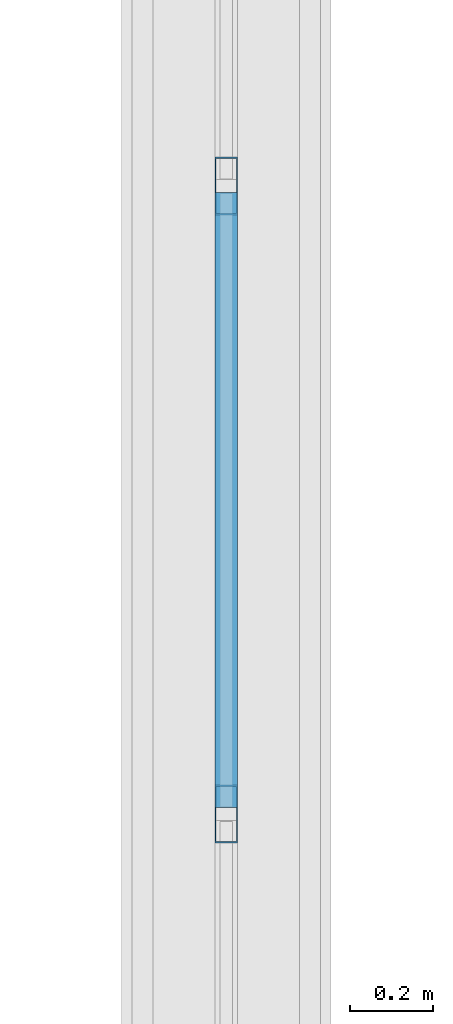
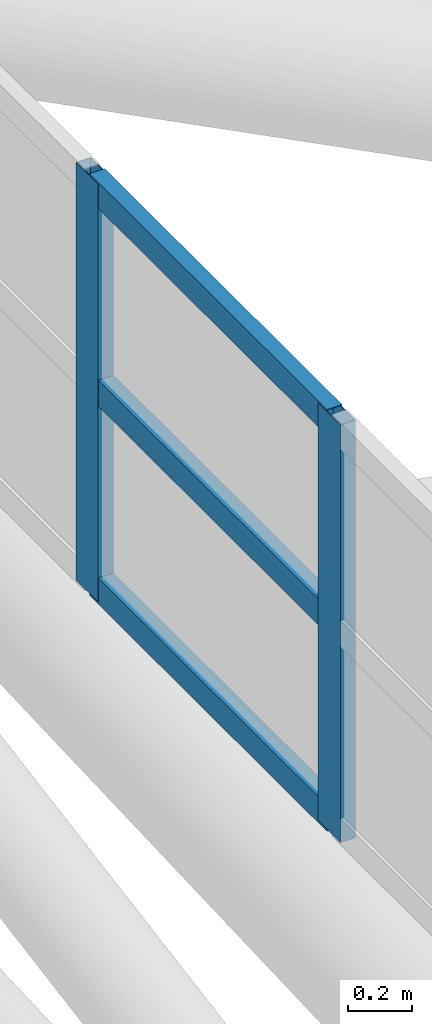
# One storey, part 157 of 397: 5 members, 1 element without a shape of its own.
"""IFC4 building model written with IfcOpenShell, lengths in metres."""

from ifc_helpers import new_model, si_unit, direction, frame, origin, origin_2d, place, context, subcontext, project, spatial, hollow_rectangle, extrude, material, material_profile, profile_set, type_object, element, aggregate, save


model = new_model("IFC4")

# Units and contexts
model_context = context("Model", 3, precision=1e-05, world=origin(), true_north=direction((0.0, 1.0)))
body_context = subcontext(model_context, "Body", "Model", "MODEL_VIEW")
ifc_project = project(units=[si_unit("LENGTHUNIT", "METRE"), si_unit("AREAUNIT", "SQUARE_METRE"), si_unit("VOLUMEUNIT", "CUBIC_METRE"), si_unit("PLANEANGLEUNIT", "RADIAN"), si_unit("MASSUNIT", "GRAM", prefix="KILO")], contexts=[model_context])

# Site, building, storey
site_placement = place(None, origin())
site = spatial("IfcSite", under=ifc_project, at=site_placement, CompositionType="ELEMENT")
building_placement = place(site_placement, origin())
building = spatial("IfcBuilding", under=site, at=building_placement, Name="Qandorah Velis Arena", CompositionType="ELEMENT")
storey_placement = place(building_placement, frame((0.0, 0.0, 27.5)))
storey = spatial("IfcBuildingStorey", under=building, at=storey_placement, Name="RF", CompositionType="ELEMENT", Elevation=27.5)

# Curtain wall, members
ifc_material_1 = material(Name="Solar-control low-E double glazing", Category="glass")
curtain_wall_type = type_object("IfcCurtainWallType", Name="ARC-CW-SYS12", PredefinedType="USERDEFINED", material=ifc_material_1)
curtain_wall_placement = place(storey_placement, origin())
curtain_wall = element("IfcCurtainWall", 1, at=curtain_wall_placement, inside=storey, type_object=curtain_wall_type, Name="Unitised curtain wall OCULUS-2-2", ObjectType="UNITISED CURTAIN WALL", PredefinedType="USERDEFINED")
ifc_material_2 = material(Name="Champagne-bronze anodized aluminium 6063-T6", Category="aluminium")
ifc_material_profile_1 = material_profile(ifc_material_2, hollow_rectangle(XDim=0.054931640625, YDim=0.139892578125, WallThickness=0.0029296875, at=origin_2d()), Name="ALU MULLION 55x140")
ifc_profile_set_1 = profile_set([ifc_material_profile_1], Name="Champagne-bronze anodized aluminium 6063-T6")
member_type_1 = type_object("IfcMemberType", Name="ARC-CWM-140", PredefinedType="MULLION", material=ifc_profile_set_1)
member_1_placement = place(storey_placement, frame((100.800048828125, 48.11669921875, 9.41259765625), z_axis=(0.0, 0.0, 1.0), x_axis=(-1.0, 0.0, 0.0)))
member_1 = element("IfcMember", 2, at=member_1_placement, type_object=member_type_1, Name="CW12 mullion 4", PredefinedType="MULLION", context=body_context, shape_type="SweptSolid", body=[
    extrude(hollow_rectangle(XDim=0.054931640625, YDim=0.139892578125, WallThickness=0.0029296875, at=origin_2d()), origin(), (0.0, 0.0, 1.0), 1.602294921875),
])
member_2_placement = place(storey_placement, frame((100.800048828125, 49.638916015625, 9.41259765625), z_axis=(0.0, 0.0, 1.0), x_axis=(-1.0, 0.0, 0.0)))
member_2 = element("IfcMember", 3, at=member_2_placement, type_object=member_type_1, Name="CW12 mullion 5", PredefinedType="MULLION", context=body_context, shape_type="SweptSolid", body=[
    extrude(hollow_rectangle(XDim=0.054931640625, YDim=0.139892578125, WallThickness=0.0029296875, at=origin_2d()), origin(), (0.0, 0.0, 1.0), 1.602294921875),
])
ifc_material_profile_2 = material_profile(ifc_material_2, hollow_rectangle(XDim=0.054931640625, YDim=0.10009765625, WallThickness=0.0029296875, at=origin_2d()), Name="ALU TRANSOM 55x100")
ifc_profile_set_2 = profile_set([ifc_material_profile_2], Name="Champagne-bronze anodized aluminium 6063-T6")
member_type_2 = type_object("IfcMemberType", Name="ARC-CWT-100", PredefinedType="USERDEFINED", material=ifc_profile_set_2)
member_3_placement = place(storey_placement, frame((100.800048828125, 48.132080078125, 9.455078125), z_axis=(0.0, 1.0, 0.0), x_axis=(-1.0, 0.0, 0.0)))
member_3 = element("IfcMember", 4, at=member_3_placement, type_object=member_type_2, Name="CW12 transom 4.1", ObjectType="TRANSOM", PredefinedType="USERDEFINED", context=body_context, shape_type="SweptSolid", body=[
    extrude(hollow_rectangle(XDim=0.054931640625, YDim=0.10009765625, WallThickness=0.0029296875, at=origin_2d()), origin(), (0.0, 0.0, 1.0), 1.4912109375),
])
member_4_placement = place(storey_placement, frame((100.800048828125, 48.132080078125, 10.2138671875), z_axis=(0.0, 1.0, 0.0), x_axis=(-1.0, 0.0, 0.0)))
member_4 = element("IfcMember", 5, at=member_4_placement, type_object=member_type_2, Name="CW12 transom 4.2", ObjectType="TRANSOM", PredefinedType="USERDEFINED", context=body_context, shape_type="SweptSolid", body=[
    extrude(hollow_rectangle(XDim=0.054931640625, YDim=0.10009765625, WallThickness=0.0029296875, at=origin_2d()), origin(), (0.0, 0.0, 1.0), 1.4912109375),
])
member_5_placement = place(storey_placement, frame((100.800048828125, 48.132080078125, 10.972412109375), z_axis=(0.0, 1.0, 0.0), x_axis=(-1.0, 0.0, 0.0)))
member_5 = element("IfcMember", 6, at=member_5_placement, type_object=member_type_2, Name="CW12 transom 4.3", ObjectType="TRANSOM", PredefinedType="USERDEFINED", context=body_context, shape_type="SweptSolid", body=[
    extrude(hollow_rectangle(XDim=0.054931640625, YDim=0.10009765625, WallThickness=0.0029296875, at=origin_2d()), origin(), (0.0, 0.0, 1.0), 1.4912109375),
])
aggregate(curtain_wall, [member_1, member_2, member_3, member_4, member_5])

save(model, "model.ifc")
